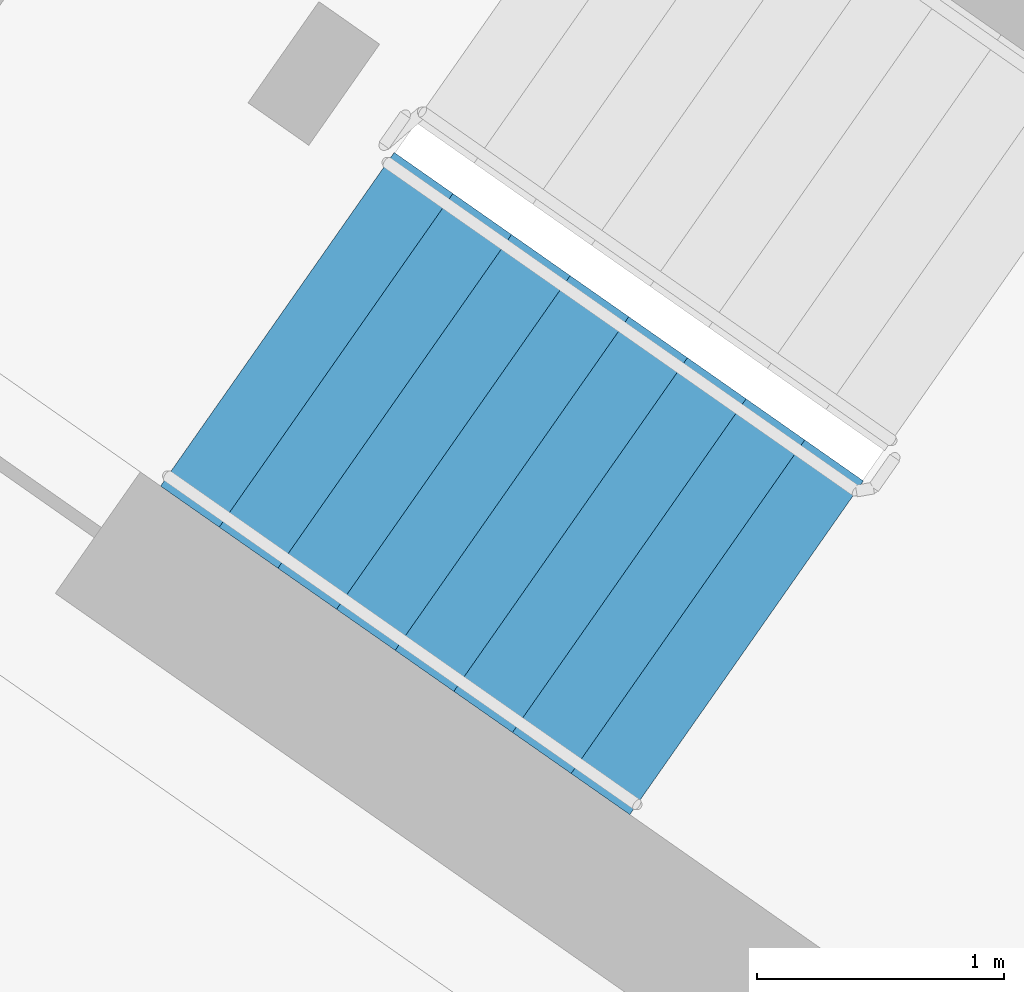
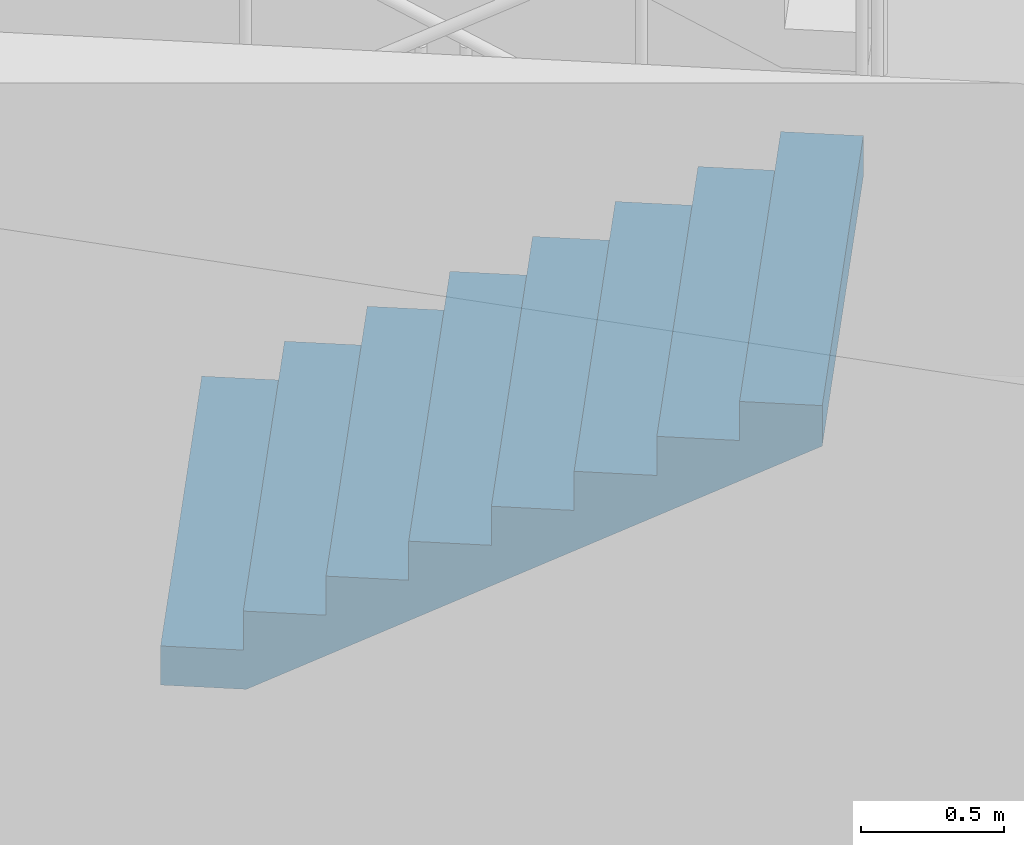
# One storey, part 7 of 41: 1 stair flight, 1 element without a shape of its own.
"""IFC4 building model written with IfcOpenShell, lengths in metres."""

from ifc_helpers import new_model, si_unit, direction, frame, origin, place, context, subcontext, project, spatial, faceted_brep, material, type_object, element, aggregate, save


model = new_model("IFC4")

# Units and contexts
model_context = context("Model", 3, precision=1e-05, world=origin(), true_north=direction((0.0, 1.0)))
body_context = subcontext(model_context, "Body", "Model", "MODEL_VIEW")
ifc_project = project(units=[si_unit("LENGTHUNIT", "METRE"), si_unit("AREAUNIT", "SQUARE_METRE"), si_unit("VOLUMEUNIT", "CUBIC_METRE"), si_unit("PLANEANGLEUNIT", "RADIAN"), si_unit("MASSUNIT", "GRAM", prefix="KILO")], contexts=[model_context])

# Site, building, storey
site_placement = place(None, origin())
site = spatial("IfcSite", under=ifc_project, at=site_placement, CompositionType="ELEMENT")
building_placement = place(site_placement, origin())
building = spatial("IfcBuilding", under=site, at=building_placement, Name="Qamariyya Broadcast Tower", CompositionType="ELEMENT")
storey_placement = place(building_placement, frame((0.0, 0.0, 284.699951171875)))
storey = spatial("IfcBuildingStorey", under=building, at=storey_placement, Name="L69", CompositionType="ELEMENT", Elevation=284.699951171875)

# Stair, stair flight
ifc_material = material(Name="Concrete C50/60", Category="concrete")
stair_type = type_object("IfcStairType", Name="Exit stair 36 risers of 167 mm", PredefinedType="HALF_TURN_STAIR", material=ifc_material)
stair_placement = place(storey_placement, origin())
stair = element("IfcStair", 1, at=stair_placement, inside=storey, type_object=stair_type, Name="L69 Stair W1", PredefinedType="HALF_TURN_STAIR")
stair_flight_type = type_object("IfcStairFlightType", Name="Exit stair flight 9 risers of 167 mm", PredefinedType="STRAIGHT", material=ifc_material)
stair_flight_placement = place(storey_placement, frame((-47.06884765625, -56.982666015625, 3.0), z_axis=(0.0, 0.0, 1.0), x_axis=(0.819152044289, -0.573576436351, 0.0)))
stair_flight = element("IfcStairFlight", 2, at=stair_flight_placement, type_object=stair_flight_type, Name="ST-W1 flight 3", NumberOfRisers=9, NumberOfTreads=8, PredefinedType="STRAIGHT", RiserHeight=0.166666667, TreadLength=0.29, context=body_context, shape_type="Brep", body=[
    faceted_brep([(0.0, 0.824951171875, 0.0), (0.0, 0.824951171875, 0.166748046875), (0.2900390625, 0.824951171875, 0.166748046875), (0.2900390625, 0.824951171875, 0.333251953125), (0.580078125, 0.824951171875, 0.333251953125), (0.580078125, 0.824951171875, 0.5), (0.8701171875, 0.824951171875, 0.5), (0.8701171875, 0.824951171875, 0.666748046875), (1.159912109375, 0.824951171875, 0.666748046875), (1.159912109375, 0.824951171875, 0.833251953125), (1.449951171875, 0.824951171875, 0.833251953125), (1.449951171875, 0.824951171875, 1.0), (1.739990234375, 0.824951171875, 1.0), (1.739990234375, 0.824951171875, 1.166748046875), (2.030029296875, 0.824951171875, 1.166748046875), (2.030029296875, 0.824951171875, 1.333251953125), (2.320068359375, 0.824951171875, 1.333251953125), (2.320068359375, 0.824951171875, 1.160400390625), (0.30078125, 0.824951171875, 0.0), (0.30078125, -0.824951171875, 0.0), (2.320068359375, -0.824951171875, 1.160400390625), (2.320068359375, -0.824951171875, 1.333251953125), (2.030029296875, -0.824951171875, 1.333251953125), (2.030029296875, -0.824951171875, 1.166748046875), (1.739990234375, -0.824951171875, 1.166748046875), (1.739990234375, -0.824951171875, 1.0), (1.449951171875, -0.824951171875, 1.0), (1.449951171875, -0.824951171875, 0.833251953125), (1.159912109375, -0.824951171875, 0.833251953125), (1.159912109375, -0.824951171875, 0.666748046875), (0.8701171875, -0.824951171875, 0.666748046875), (0.8701171875, -0.824951171875, 0.5), (0.580078125, -0.824951171875, 0.5), (0.580078125, -0.824951171875, 0.333251953125), (0.2900390625, -0.824951171875, 0.333251953125), (0.2900390625, -0.824951171875, 0.166748046875), (0.0, -0.824951171875, 0.166748046875), (0.0, -0.824951171875, 0.0), (0.0, 0.10009765625, 0.0), (0.0, 0.086669921875, 0.0), (0.0, 0.0732421875, 0.0), (0.0, 0.06005859375, 0.0), (0.0, 0.046630859375, 0.0), (0.0, 0.033447265625, 0.0), (0.0, 0.02001953125, 0.0), (0.0, 0.006591796875, 0.0), (0.0, -0.006591796875, 0.0), (0.0, -0.02001953125, 0.0), (0.0, -0.033447265625, 0.0), (0.0, -0.046630859375, 0.0), (0.0, -0.06005859375, 0.0), (0.0, -0.0732421875, 0.0), (0.0, -0.086669921875, 0.0), (0.0, -0.10009765625, 0.0), (0.0, -0.10009765625, 0.166748046875), (0.0, -0.086669921875, 0.166748046875), (0.0, -0.0732421875, 0.166748046875), (0.0, -0.06005859375, 0.166748046875), (0.0, -0.046630859375, 0.166748046875), (0.0, -0.033447265625, 0.166748046875), (0.0, -0.02001953125, 0.166748046875), (0.0, -0.006591796875, 0.166748046875), (0.0, 0.006591796875, 0.166748046875), (0.0, 0.02001953125, 0.166748046875), (0.0, 0.033447265625, 0.166748046875), (0.0, 0.046630859375, 0.166748046875), (0.0, 0.06005859375, 0.166748046875), (0.0, 0.0732421875, 0.166748046875), (0.0, 0.086669921875, 0.166748046875), (0.0, 0.10009765625, 0.166748046875), (0.2900390625, -0.10009765625, 0.166748046875), (0.2900390625, -0.086669921875, 0.166748046875), (0.2900390625, -0.0732421875, 0.166748046875), (0.2900390625, -0.06005859375, 0.166748046875), (0.2900390625, -0.046630859375, 0.166748046875), (0.2900390625, -0.033447265625, 0.166748046875), (0.2900390625, -0.02001953125, 0.166748046875), (0.2900390625, -0.006591796875, 0.166748046875), (0.2900390625, 0.006591796875, 0.166748046875), (0.2900390625, 0.02001953125, 0.166748046875), (0.2900390625, 0.033447265625, 0.166748046875), (0.2900390625, 0.046630859375, 0.166748046875), (0.2900390625, 0.06005859375, 0.166748046875), (0.2900390625, 0.0732421875, 0.166748046875), (0.2900390625, 0.086669921875, 0.166748046875), (0.2900390625, 0.10009765625, 0.166748046875), (0.2900390625, -0.10009765625, 0.333251953125), (0.2900390625, -0.086669921875, 0.333251953125), (0.2900390625, -0.0732421875, 0.333251953125), (0.2900390625, -0.06005859375, 0.333251953125), (0.2900390625, -0.046630859375, 0.333251953125), (0.2900390625, -0.033447265625, 0.333251953125), (0.2900390625, -0.02001953125, 0.333251953125), (0.2900390625, -0.006591796875, 0.333251953125), (0.2900390625, 0.006591796875, 0.333251953125), (0.2900390625, 0.02001953125, 0.333251953125), (0.2900390625, 0.033447265625, 0.333251953125), (0.2900390625, 0.046630859375, 0.333251953125), (0.2900390625, 0.06005859375, 0.333251953125), (0.2900390625, 0.0732421875, 0.333251953125), (0.2900390625, 0.086669921875, 0.333251953125), (0.2900390625, 0.10009765625, 0.333251953125), (0.580078125, -0.10009765625, 0.333251953125), (0.580078125, -0.086669921875, 0.333251953125), (0.580078125, -0.0732421875, 0.333251953125), (0.580078125, -0.06005859375, 0.333251953125), (0.580078125, -0.046630859375, 0.333251953125), (0.580078125, -0.033447265625, 0.333251953125), (0.580078125, -0.02001953125, 0.333251953125), (0.580078125, -0.006591796875, 0.333251953125), (0.580078125, 0.006591796875, 0.333251953125), (0.580078125, 0.02001953125, 0.333251953125), (0.580078125, 0.033447265625, 0.333251953125), (0.580078125, 0.046630859375, 0.333251953125), (0.580078125, 0.06005859375, 0.333251953125), (0.580078125, 0.0732421875, 0.333251953125), (0.580078125, 0.086669921875, 0.333251953125), (0.580078125, 0.10009765625, 0.333251953125), (0.580078125, -0.10009765625, 0.5), (0.580078125, -0.086669921875, 0.5), (0.580078125, -0.0732421875, 0.5), (0.580078125, -0.06005859375, 0.5), (0.580078125, -0.046630859375, 0.5), (0.580078125, -0.033447265625, 0.5), (0.580078125, -0.02001953125, 0.5), (0.580078125, -0.006591796875, 0.5), (0.580078125, 0.006591796875, 0.5), (0.580078125, 0.02001953125, 0.5), (0.580078125, 0.033447265625, 0.5), (0.580078125, 0.046630859375, 0.5), (0.580078125, 0.06005859375, 0.5), (0.580078125, 0.0732421875, 0.5), (0.580078125, 0.086669921875, 0.5), (0.580078125, 0.10009765625, 0.5), (0.8701171875, -0.10009765625, 0.5), (0.8701171875, -0.086669921875, 0.5), (0.8701171875, -0.0732421875, 0.5), (0.8701171875, -0.06005859375, 0.5), (0.8701171875, -0.046630859375, 0.5), (0.8701171875, -0.033447265625, 0.5), (0.8701171875, -0.02001953125, 0.5), (0.8701171875, -0.006591796875, 0.5), (0.8701171875, 0.006591796875, 0.5), (0.8701171875, 0.02001953125, 0.5), (0.8701171875, 0.033447265625, 0.5), (0.8701171875, 0.046630859375, 0.5), (0.8701171875, 0.06005859375, 0.5), (0.8701171875, 0.0732421875, 0.5), (0.8701171875, 0.086669921875, 0.5), (0.8701171875, 0.10009765625, 0.5), (0.8701171875, -0.10009765625, 0.666748046875), (0.8701171875, -0.086669921875, 0.666748046875), (0.8701171875, -0.0732421875, 0.666748046875), (0.8701171875, -0.06005859375, 0.666748046875), (0.8701171875, -0.046630859375, 0.666748046875), (0.8701171875, -0.033447265625, 0.666748046875), (0.8701171875, -0.02001953125, 0.666748046875), (0.8701171875, -0.006591796875, 0.666748046875), (0.8701171875, 0.006591796875, 0.666748046875), (0.8701171875, 0.02001953125, 0.666748046875), (0.8701171875, 0.033447265625, 0.666748046875), (0.8701171875, 0.046630859375, 0.666748046875), (0.8701171875, 0.06005859375, 0.666748046875), (0.8701171875, 0.0732421875, 0.666748046875), (0.8701171875, 0.086669921875, 0.666748046875), (0.8701171875, 0.10009765625, 0.666748046875), (1.159912109375, -0.10009765625, 0.666748046875), (1.159912109375, -0.086669921875, 0.666748046875), (1.159912109375, -0.0732421875, 0.666748046875), (1.159912109375, -0.06005859375, 0.666748046875), (1.159912109375, -0.046630859375, 0.666748046875), (1.159912109375, -0.033447265625, 0.666748046875), (1.159912109375, -0.02001953125, 0.666748046875), (1.159912109375, -0.006591796875, 0.666748046875), (1.159912109375, 0.006591796875, 0.666748046875), (1.159912109375, 0.02001953125, 0.666748046875), (1.159912109375, 0.033447265625, 0.666748046875), (1.159912109375, 0.046630859375, 0.666748046875), (1.159912109375, 0.06005859375, 0.666748046875), (1.159912109375, 0.0732421875, 0.666748046875), (1.159912109375, 0.086669921875, 0.666748046875), (1.159912109375, 0.10009765625, 0.666748046875), (1.159912109375, -0.10009765625, 0.833251953125), (1.159912109375, -0.086669921875, 0.833251953125), (1.159912109375, -0.0732421875, 0.833251953125), (1.159912109375, -0.06005859375, 0.833251953125), (1.159912109375, -0.046630859375, 0.833251953125), (1.159912109375, -0.033447265625, 0.833251953125), (1.159912109375, -0.02001953125, 0.833251953125), (1.159912109375, -0.006591796875, 0.833251953125), (1.159912109375, 0.006591796875, 0.833251953125), (1.159912109375, 0.02001953125, 0.833251953125), (1.159912109375, 0.033447265625, 0.833251953125), (1.159912109375, 0.046630859375, 0.833251953125), (1.159912109375, 0.06005859375, 0.833251953125), (1.159912109375, 0.0732421875, 0.833251953125), (1.159912109375, 0.086669921875, 0.833251953125), (1.159912109375, 0.10009765625, 0.833251953125), (1.449951171875, -0.10009765625, 0.833251953125), (1.449951171875, -0.086669921875, 0.833251953125), (1.449951171875, -0.0732421875, 0.833251953125), (1.449951171875, -0.06005859375, 0.833251953125), (1.449951171875, -0.046630859375, 0.833251953125), (1.449951171875, -0.033447265625, 0.833251953125), (1.449951171875, -0.02001953125, 0.833251953125), (1.449951171875, -0.006591796875, 0.833251953125), (1.449951171875, 0.006591796875, 0.833251953125), (1.449951171875, 0.02001953125, 0.833251953125), (1.449951171875, 0.033447265625, 0.833251953125), (1.449951171875, 0.046630859375, 0.833251953125), (1.449951171875, 0.06005859375, 0.833251953125), (1.449951171875, 0.0732421875, 0.833251953125), (1.449951171875, 0.086669921875, 0.833251953125), (1.449951171875, 0.10009765625, 0.833251953125), (1.449951171875, -0.10009765625, 1.0), (1.449951171875, -0.086669921875, 1.0), (1.449951171875, -0.0732421875, 1.0), (1.449951171875, -0.06005859375, 1.0), (1.449951171875, -0.046630859375, 1.0), (1.449951171875, -0.033447265625, 1.0), (1.449951171875, -0.02001953125, 1.0), (1.449951171875, -0.006591796875, 1.0), (1.449951171875, 0.006591796875, 1.0), (1.449951171875, 0.02001953125, 1.0), (1.449951171875, 0.033447265625, 1.0), (1.449951171875, 0.046630859375, 1.0), (1.449951171875, 0.06005859375, 1.0), (1.449951171875, 0.0732421875, 1.0), (1.449951171875, 0.086669921875, 1.0), (1.449951171875, 0.10009765625, 1.0), (1.739990234375, -0.10009765625, 1.0), (1.739990234375, -0.086669921875, 1.0), (1.739990234375, -0.0732421875, 1.0), (1.739990234375, -0.06005859375, 1.0), (1.739990234375, -0.046630859375, 1.0), (1.739990234375, -0.033447265625, 1.0), (1.739990234375, -0.02001953125, 1.0), (1.739990234375, -0.006591796875, 1.0), (1.739990234375, 0.006591796875, 1.0), (1.739990234375, 0.02001953125, 1.0), (1.739990234375, 0.033447265625, 1.0), (1.739990234375, 0.046630859375, 1.0), (1.739990234375, 0.06005859375, 1.0), (1.739990234375, 0.0732421875, 1.0), (1.739990234375, 0.086669921875, 1.0), (1.739990234375, 0.10009765625, 1.0), (1.739990234375, -0.10009765625, 1.166748046875), (1.739990234375, -0.086669921875, 1.166748046875), (1.739990234375, -0.0732421875, 1.166748046875), (1.739990234375, -0.06005859375, 1.166748046875), (1.739990234375, -0.046630859375, 1.166748046875), (1.739990234375, -0.033447265625, 1.166748046875), (1.739990234375, -0.02001953125, 1.166748046875), (1.739990234375, -0.006591796875, 1.166748046875), (1.739990234375, 0.006591796875, 1.166748046875), (1.739990234375, 0.02001953125, 1.166748046875), (1.739990234375, 0.033447265625, 1.166748046875), (1.739990234375, 0.046630859375, 1.166748046875), (1.739990234375, 0.06005859375, 1.166748046875), (1.739990234375, 0.0732421875, 1.166748046875), (1.739990234375, 0.086669921875, 1.166748046875), (1.739990234375, 0.10009765625, 1.166748046875), (2.030029296875, -0.10009765625, 1.166748046875), (2.030029296875, -0.086669921875, 1.166748046875), (2.030029296875, -0.0732421875, 1.166748046875), (2.030029296875, -0.06005859375, 1.166748046875), (2.030029296875, -0.046630859375, 1.166748046875), (2.030029296875, -0.033447265625, 1.166748046875), (2.030029296875, -0.02001953125, 1.166748046875), (2.030029296875, -0.006591796875, 1.166748046875), (2.030029296875, 0.006591796875, 1.166748046875), (2.030029296875, 0.02001953125, 1.166748046875), (2.030029296875, 0.033447265625, 1.166748046875), (2.030029296875, 0.046630859375, 1.166748046875), (2.030029296875, 0.06005859375, 1.166748046875), (2.030029296875, 0.0732421875, 1.166748046875), (2.030029296875, 0.086669921875, 1.166748046875), (2.030029296875, 0.10009765625, 1.166748046875), (2.030029296875, -0.10009765625, 1.333251953125), (2.030029296875, -0.086669921875, 1.333251953125), (2.030029296875, -0.0732421875, 1.333251953125), (2.030029296875, -0.06005859375, 1.333251953125), (2.030029296875, -0.046630859375, 1.333251953125), (2.030029296875, -0.033447265625, 1.333251953125), (2.030029296875, -0.02001953125, 1.333251953125), (2.030029296875, -0.006591796875, 1.333251953125), (2.030029296875, 0.006591796875, 1.333251953125), (2.030029296875, 0.02001953125, 1.333251953125), (2.030029296875, 0.033447265625, 1.333251953125), (2.030029296875, 0.046630859375, 1.333251953125), (2.030029296875, 0.06005859375, 1.333251953125), (2.030029296875, 0.0732421875, 1.333251953125), (2.030029296875, 0.086669921875, 1.333251953125), (2.030029296875, 0.10009765625, 1.333251953125), (2.320068359375, -0.10009765625, 1.333251953125), (2.320068359375, -0.086669921875, 1.333251953125), (2.320068359375, -0.0732421875, 1.333251953125), (2.320068359375, -0.06005859375, 1.333251953125), (2.320068359375, -0.046630859375, 1.333251953125), (2.320068359375, -0.033447265625, 1.333251953125), (2.320068359375, -0.02001953125, 1.333251953125), (2.320068359375, -0.006591796875, 1.333251953125), (2.320068359375, 0.006591796875, 1.333251953125), (2.320068359375, 0.02001953125, 1.333251953125), (2.320068359375, 0.033447265625, 1.333251953125), (2.320068359375, 0.046630859375, 1.333251953125), (2.320068359375, 0.06005859375, 1.333251953125), (2.320068359375, 0.0732421875, 1.333251953125), (2.320068359375, 0.086669921875, 1.333251953125), (2.320068359375, 0.10009765625, 1.333251953125), (2.320068359375, -0.10009765625, 1.160400390625), (2.320068359375, -0.086669921875, 1.160400390625), (2.320068359375, -0.0732421875, 1.160400390625), (2.320068359375, -0.06005859375, 1.160400390625), (2.320068359375, -0.046630859375, 1.160400390625), (2.320068359375, -0.033447265625, 1.160400390625), (2.320068359375, -0.02001953125, 1.160400390625), (2.320068359375, -0.006591796875, 1.160400390625), (2.320068359375, 0.006591796875, 1.160400390625), (2.320068359375, 0.02001953125, 1.160400390625), (2.320068359375, 0.033447265625, 1.160400390625), (2.320068359375, 0.046630859375, 1.160400390625), (2.320068359375, 0.06005859375, 1.160400390625), (2.320068359375, 0.0732421875, 1.160400390625), (2.320068359375, 0.086669921875, 1.160400390625), (2.320068359375, 0.10009765625, 1.160400390625), (0.30078125, -0.10009765625, 0.0), (0.30078125, -0.086669921875, 0.0), (0.30078125, -0.0732421875, 0.0), (0.30078125, -0.06005859375, 0.0), (0.30078125, -0.046630859375, 0.0), (0.30078125, -0.033447265625, 0.0), (0.30078125, -0.02001953125, 0.0), (0.30078125, -0.006591796875, 0.0), (0.30078125, 0.006591796875, 0.0), (0.30078125, 0.02001953125, 0.0), (0.30078125, 0.033447265625, 0.0), (0.30078125, 0.046630859375, 0.0), (0.30078125, 0.06005859375, 0.0), (0.30078125, 0.0732421875, 0.0), (0.30078125, 0.086669921875, 0.0), (0.30078125, 0.10009765625, 0.0)], [[[0, 1, 2, 3, 4, 5, 6, 7, 8, 9, 10, 11, 12, 13, 14, 15, 16, 17, 18]], [[19, 20, 21, 22, 23, 24, 25, 26, 27, 28, 29, 30, 31, 32, 33, 34, 35, 36, 37]], [[0, 38, 39, 40, 41, 42, 43, 44, 45, 46, 47, 48, 49, 50, 51, 52, 53, 37, 36, 54, 55, 56, 57, 58, 59, 60, 61, 62, 63, 64, 65, 66, 67, 68, 69, 1]], [[1, 69, 68, 67, 66, 65, 64, 63, 62, 61, 60, 59, 58, 57, 56, 55, 54, 36, 35, 70, 71, 72, 73, 74, 75, 76, 77, 78, 79, 80, 81, 82, 83, 84, 85, 2]], [[2, 85, 84, 83, 82, 81, 80, 79, 78, 77, 76, 75, 74, 73, 72, 71, 70, 35, 34, 86, 87, 88, 89, 90, 91, 92, 93, 94, 95, 96, 97, 98, 99, 100, 101, 3]], [[3, 101, 100, 99, 98, 97, 96, 95, 94, 93, 92, 91, 90, 89, 88, 87, 86, 34, 33, 102, 103, 104, 105, 106, 107, 108, 109, 110, 111, 112, 113, 114, 115, 116, 117, 4]], [[4, 117, 116, 115, 114, 113, 112, 111, 110, 109, 108, 107, 106, 105, 104, 103, 102, 33, 32, 118, 119, 120, 121, 122, 123, 124, 125, 126, 127, 128, 129, 130, 131, 132, 133, 5]], [[5, 133, 132, 131, 130, 129, 128, 127, 126, 125, 124, 123, 122, 121, 120, 119, 118, 32, 31, 134, 135, 136, 137, 138, 139, 140, 141, 142, 143, 144, 145, 146, 147, 148, 149, 6]], [[6, 149, 148, 147, 146, 145, 144, 143, 142, 141, 140, 139, 138, 137, 136, 135, 134, 31, 30, 150, 151, 152, 153, 154, 155, 156, 157, 158, 159, 160, 161, 162, 163, 164, 165, 7]], [[7, 165, 164, 163, 162, 161, 160, 159, 158, 157, 156, 155, 154, 153, 152, 151, 150, 30, 29, 166, 167, 168, 169, 170, 171, 172, 173, 174, 175, 176, 177, 178, 179, 180, 181, 8]], [[8, 181, 180, 179, 178, 177, 176, 175, 174, 173, 172, 171, 170, 169, 168, 167, 166, 29, 28, 182, 183, 184, 185, 186, 187, 188, 189, 190, 191, 192, 193, 194, 195, 196, 197, 9]], [[9, 197, 196, 195, 194, 193, 192, 191, 190, 189, 188, 187, 186, 185, 184, 183, 182, 28, 27, 198, 199, 200, 201, 202, 203, 204, 205, 206, 207, 208, 209, 210, 211, 212, 213, 10]], [[10, 213, 212, 211, 210, 209, 208, 207, 206, 205, 204, 203, 202, 201, 200, 199, 198, 27, 26, 214, 215, 216, 217, 218, 219, 220, 221, 222, 223, 224, 225, 226, 227, 228, 229, 11]], [[11, 229, 228, 227, 226, 225, 224, 223, 222, 221, 220, 219, 218, 217, 216, 215, 214, 26, 25, 230, 231, 232, 233, 234, 235, 236, 237, 238, 239, 240, 241, 242, 243, 244, 245, 12]], [[12, 245, 244, 243, 242, 241, 240, 239, 238, 237, 236, 235, 234, 233, 232, 231, 230, 25, 24, 246, 247, 248, 249, 250, 251, 252, 253, 254, 255, 256, 257, 258, 259, 260, 261, 13]], [[13, 261, 260, 259, 258, 257, 256, 255, 254, 253, 252, 251, 250, 249, 248, 247, 246, 24, 23, 262, 263, 264, 265, 266, 267, 268, 269, 270, 271, 272, 273, 274, 275, 276, 277, 14]], [[14, 277, 276, 275, 274, 273, 272, 271, 270, 269, 268, 267, 266, 265, 264, 263, 262, 23, 22, 278, 279, 280, 281, 282, 283, 284, 285, 286, 287, 288, 289, 290, 291, 292, 293, 15]], [[15, 293, 292, 291, 290, 289, 288, 287, 286, 285, 284, 283, 282, 281, 280, 279, 278, 22, 21, 294, 295, 296, 297, 298, 299, 300, 301, 302, 303, 304, 305, 306, 307, 308, 309, 16]], [[16, 309, 308, 307, 306, 305, 304, 303, 302, 301, 300, 299, 298, 297, 296, 295, 294, 21, 20, 310, 311, 312, 313, 314, 315, 316, 317, 318, 319, 320, 321, 322, 323, 324, 325, 17]], [[17, 325, 324, 323, 322, 321, 320, 319, 318, 317, 316, 315, 314, 313, 312, 311, 310, 20, 19, 326, 327, 328, 329, 330, 331, 332, 333, 334, 335, 336, 337, 338, 339, 340, 341, 18]], [[18, 341, 340, 339, 338, 337, 336, 335, 334, 333, 332, 331, 330, 329, 328, 327, 326, 19, 37, 53, 52, 51, 50, 49, 48, 47, 46, 45, 44, 43, 42, 41, 40, 39, 38, 0]]]),
])
aggregate(stair, [stair_flight])

save(model, "model.ifc")
